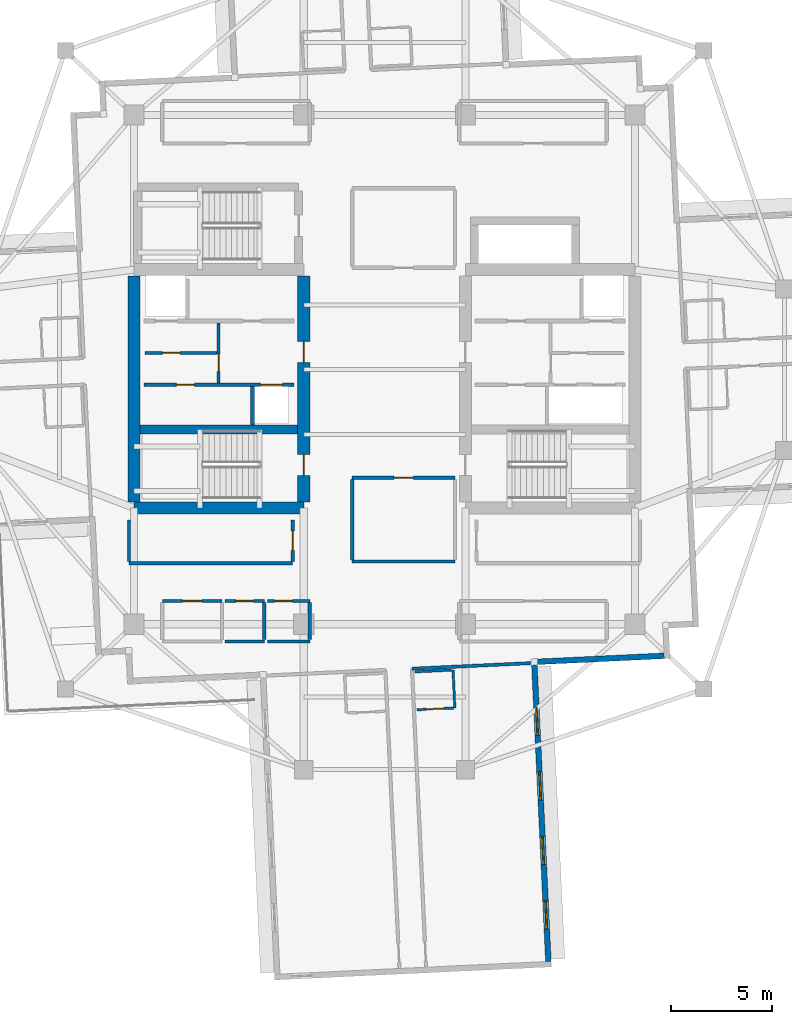
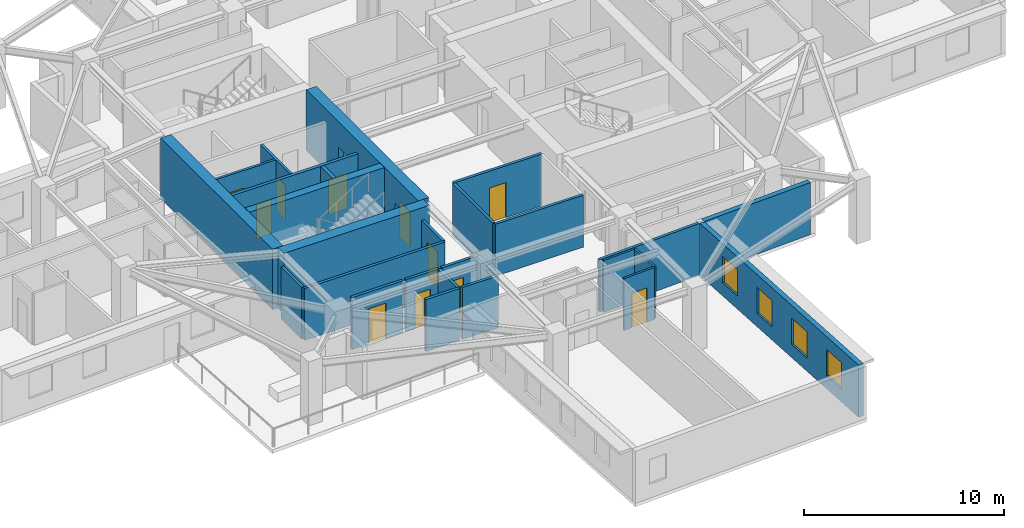
# One storey, part 4 of 12: 27 walls, 12 doors, 4 windows, 16 openings.
"""IFC4 building model written with IfcOpenShell, lengths in metres."""

from ifc_helpers import new_model, si_unit, direction, frame, frame_2d, origin, place, context, subcontext, project, spatial, rectangle, extrude, material, layer, layer_set, type_object, element, fill, save


model = new_model("IFC4")

# Units and contexts
model_context = context("Model", 3, precision=1e-05, world=origin(), true_north=direction((0.0, 1.0)))
body_context = subcontext(model_context, "Body", "Model", "MODEL_VIEW")
ifc_project = project(units=[si_unit("LENGTHUNIT", "METRE"), si_unit("AREAUNIT", "SQUARE_METRE"), si_unit("VOLUMEUNIT", "CUBIC_METRE"), si_unit("PLANEANGLEUNIT", "RADIAN"), si_unit("MASSUNIT", "GRAM", prefix="KILO")], contexts=[model_context])

# Site, building, storey
site_placement = place(None, origin())
site = spatial("IfcSite", under=ifc_project, at=site_placement, CompositionType="ELEMENT")
building_placement = place(site_placement, origin())
building = spatial("IfcBuilding", under=site, at=building_placement, Name="Qingluan Cross Belvedere", CompositionType="ELEMENT")
storey_placement = place(building_placement, frame((0.0, 0.0, 213.0)))
storey = spatial("IfcBuildingStorey", under=building, at=storey_placement, Name="L53", CompositionType="ELEMENT", Elevation=213.0)

# Walls
ifc_material_1 = material(Name="Concrete C50", Category="concrete")
ifc_layer_1 = layer(ifc_material_1, 0.449951171875, Name="CoreShearWall_450")
ifc_layer_set_1 = layer_set([ifc_layer_1], Name="Concrete C50")
wall_type_1 = type_object("IfcWallType", Name="CoreShearWall_450", PredefinedType="SHEAR", material=ifc_layer_set_1)
wall_1_placement = place(storey_placement, frame((-12.094970703125, -2.9599609375, 0.0), z_axis=(0.0, 0.0, 1.0), x_axis=(1.0, 0.0, 0.0)))
element("IfcWall", 1, at=wall_1_placement, inside=storey, type_object=wall_type_1, Name="Split core W shear wall L53-M", PredefinedType="SHEAR", context=body_context, shape_type="SweptSolid", body=[
    extrude(rectangle(XDim=7.7900390625, YDim=0.449951171875, at=frame_2d((3.89501953125, 0.0))), origin(), (0.0, 0.0, 1.0), 3.699951171875),
])
ifc_material_2 = material(Name="Concrete C60", Category="concrete")
ifc_layer_2 = layer(ifc_material_2, 0.60009765625, Name="CoreShearWall_600")
ifc_layer_set_2 = layer_set([ifc_layer_2], Name="Concrete C60")
wall_type_2 = type_object("IfcWallType", Name="CoreShearWall_600", PredefinedType="SHEAR", material=ifc_layer_set_2)
wall_2_placement = place(storey_placement, frame((-12.39990234375, -6.85009765625, 0.0), z_axis=(0.0, 0.0, 1.0), x_axis=(1.0, 0.0, 0.0)))
element("IfcWall", 2, at=wall_2_placement, inside=storey, type_object=wall_type_2, Name="Split core W shear wall L53-S", PredefinedType="SHEAR", context=body_context, shape_type="SweptSolid", body=[
    extrude(rectangle(XDim=8.39990234375, YDim=0.60009765625, at=frame_2d((4.199951171875, 0.0))), origin(), (0.0, 0.0, 1.0), 3.699951171875),
])
wall_3_placement = place(storey_placement, frame((-12.39990234375, -6.544921875, 0.0), z_axis=(0.0, 0.0, 1.0), x_axis=(0.0, 1.0, 0.0)))
element("IfcWall", 3, at=wall_3_placement, inside=storey, type_object=wall_type_2, Name="Split core W shear wall L53-W", PredefinedType="SHEAR", context=body_context, shape_type="SweptSolid", body=[
    extrude(rectangle(XDim=11.18994140625, YDim=0.60009765625, at=frame_2d((5.594970703125, 0.0))), origin(), (0.0, 0.0, 1.0), 3.699951171875),
])

# Wall, openings, doors
wall_4_placement = place(storey_placement, frame((-4.0, -6.544921875, 0.0), z_axis=(0.0, 0.0, 1.0), x_axis=(0.0, 1.0, 0.0)))
wall_4 = element("IfcWall", 4, at=wall_4_placement, inside=storey, type_object=wall_type_2, Name="Split core W shear wall L53-E", PredefinedType="SHEAR", context=body_context, shape_type="SweptSolid", body=[
    extrude(rectangle(XDim=11.18994140625, YDim=0.60009765625, at=frame_2d((5.594970703125, 0.0))), origin(), (0.0, 0.0, 1.0), 3.699951171875),
])
opening_1_placement = place(wall_4_placement, frame((1.294921875, 0.0, 0.0)))
opening_1 = element("IfcOpeningElement", 5, at=opening_1_placement, cuts=wall_4, Name="Opening FD-B11", PredefinedType="OPENING", context=body_context, shape_type="SweptSolid", body=[
    extrude(rectangle(XDim=1.050048828125, YDim=2.14990234375, at=frame_2d((0.52490234375, 1.074951171875))), frame((0.0, 0.31005859375, 0.0), z_axis=(0.0, -1.0, 0.0), x_axis=(1.0, 0.0, 0.0)), (0.0, 0.0, 1.0), 0.6201171875),
])
opening_2_placement = place(wall_4_placement, frame((6.89501953125, 0.0, 0.0)))
opening_2 = element("IfcOpeningElement", 6, at=opening_2_placement, cuts=wall_4, Name="Opening FD-B11", PredefinedType="OPENING", context=body_context, shape_type="SweptSolid", body=[
    extrude(rectangle(XDim=1.050048828125, YDim=2.14990234375, at=frame_2d((0.52490234375, 1.074951171875))), frame((0.0, 0.31005859375, 0.0), z_axis=(0.0, -1.0, 0.0), x_axis=(1.0, 0.0, 0.0)), (0.0, 0.0, 1.0), 0.6201171875),
])
ifc_material_3 = material(Name="Steel Class B smoke-seal fire door", Category="steel")
door_type_1 = type_object("IfcDoorType", Name="StairLobbyFireDoor_FDB", OperationType="NOTDEFINED", PredefinedType="DOOR", material=ifc_material_3)
door_1_placement = place(opening_1_placement, origin())
door_1 = element("IfcDoor", 7, at=door_1_placement, inside=storey, type_object=door_type_1, Name="Smoke-proof stair ST1 fire door L53", OperationType="SINGLE_SWING_LEFT", OverallHeight=2.14990234375, OverallWidth=1.050048828125, PredefinedType="DOOR", context=body_context, shape_type="SweptSolid", body=[
    extrude(rectangle(XDim=1.050048828125, YDim=2.14990234375, at=frame_2d((0.52490234375, 1.074951171875))), frame((0.0, 0.02490234375, 0.0), z_axis=(0.0, -1.0, 0.0), x_axis=(1.0, 0.0, 0.0)), (0.0, 0.0, 1.0), 0.050048828125),
])
fill(opening_1, door_1)
door_2_placement = place(opening_2_placement, origin())
door_2 = element("IfcDoor", 8, at=door_2_placement, inside=storey, type_object=door_type_1, Name="Firefighting lobby West fire door L53", OperationType="SINGLE_SWING_LEFT", OverallHeight=2.14990234375, OverallWidth=1.050048828125, PredefinedType="DOOR", context=body_context, shape_type="SweptSolid", body=[
    extrude(rectangle(XDim=1.050048828125, YDim=2.14990234375, at=frame_2d((0.52490234375, 1.074951171875))), frame((0.0, 0.02490234375, 0.0), z_axis=(0.0, -1.0, 0.0), x_axis=(1.0, 0.0, 0.0)), (0.0, 0.0, 1.0), 0.050048828125),
])
fill(opening_2, door_2)

# Wall, opening, door
ifc_material_4 = material(Name="Gypsum plasterboard on steel stud acoustic partition", Category="steel")
ifc_layer_3 = layer(ifc_material_4, 0.159912109375, Name="CorridorPartition_160")
ifc_layer_set_3 = layer_set([ifc_layer_3], Name="Gypsum plasterboard on steel stud acoustic partition")
wall_type_3 = type_object("IfcWallType", Name="CorridorPartition_160", PredefinedType="PARTITIONING", material=ifc_layer_set_3)
wall_5_placement = place(storey_placement, frame((-11.85009765625, 0.830078125, 0.0), z_axis=(0.0, 0.0, 1.0), x_axis=(1.0, 0.0, 0.0)))
wall_5 = element("IfcWall", 9, at=wall_5_placement, inside=storey, type_object=wall_type_3, Name="Partition L53:w", PredefinedType="PARTITIONING", context=body_context, shape_type="SweptSolid", body=[
    extrude(rectangle(XDim=3.552001953125, YDim=0.139892578125, at=frame_2d((1.77587890625, 0.0))), origin(), (0.0, 0.0, 1.0), 3.169921875),
])
opening_3_placement = place(wall_5_placement, frame((0.85009765625, 0.0, 0.0)))
opening_3 = element("IfcOpeningElement", 10, at=opening_3_placement, cuts=wall_5, Name="Opening FD-B10", PredefinedType="OPENING", context=body_context, shape_type="SweptSolid", body=[
    extrude(rectangle(XDim=0.8798828125, YDim=2.10009765625, at=frame_2d((0.43994140625, 1.050048828125))), frame((0.0, 0.079833984375, 0.0), z_axis=(0.0, -1.0, 0.0), x_axis=(1.0, 0.0, 0.0)), (0.0, 0.0, 1.0), 0.159912109375),
])
ifc_material_5 = material(Name="Steel Class B service fire door", Category="steel")
door_type_2 = type_object("IfcDoorType", Name="RiserServiceFireDoor_FDB", OperationType="NOTDEFINED", PredefinedType="DOOR", material=ifc_material_5)
door_3_placement = place(opening_3_placement, origin())
door_3 = element("IfcDoor", 11, at=door_3_placement, inside=storey, type_object=door_type_2, Name="Service closet inner door L53", OperationType="SINGLE_SWING_RIGHT", OverallHeight=2.10009765625, OverallWidth=0.8798828125, PredefinedType="DOOR", context=body_context, shape_type="SweptSolid", body=[
    extrude(rectangle(XDim=0.8798828125, YDim=2.10009765625, at=frame_2d((0.43994140625, 1.050048828125))), frame((0.0, 0.02490234375, 0.0), z_axis=(0.0, -1.0, 0.0), x_axis=(1.0, 0.0, 0.0)), (0.0, 0.0, 1.0), 0.050048828125),
])
fill(opening_3, door_3)

wall_6_placement = place(storey_placement, frame((-11.0, -11.449951171875, 0.0), z_axis=(0.0, 0.0, 1.0), x_axis=(1.0, 0.0, 0.0)))
wall_6 = element("IfcWall", 12, at=wall_6_placement, inside=storey, type_object=wall_type_3, Name="Partition L53:q_sw_occ:N", PredefinedType="PARTITIONING", context=body_context, shape_type="SweptSolid", body=[
    extrude(rectangle(XDim=2.949951171875, YDim=0.159912109375, at=frame_2d((1.47509765625, 0.0))), origin(), (0.0, 0.0, 1.0), 3.169921875),
])
opening_4_placement = place(wall_6_placement, frame((0.9951171875, 0.0, 0.0)))
opening_4 = element("IfcOpeningElement", 13, at=opening_4_placement, cuts=wall_6, Name="Opening GD-10", PredefinedType="OPENING", context=body_context, shape_type="SweptSolid", body=[
    extrude(rectangle(XDim=0.9599609375, YDim=2.14990234375, at=frame_2d((0.47998046875, 1.074951171875))), frame((0.0, 0.08984375, 0.0), z_axis=(0.0, -1.0, 0.0), x_axis=(1.0, 0.0, 0.0)), (0.0, 0.0, 1.0), 0.179931640625),
])
ifc_material_6 = material(Name="Timber oak fire-rated acoustic guestroom door", Category="wood")
door_type_3 = type_object("IfcDoorType", Name="GuestEntryDoor_FD60", OperationType="NOTDEFINED", PredefinedType="DOOR", material=ifc_material_6)
door_4_placement = place(opening_4_placement, origin())
door_4 = element("IfcDoor", 14, at=door_4_placement, inside=storey, type_object=door_type_3, Name="Executive briefing room L53 door", OperationType="SINGLE_SWING_LEFT", OverallHeight=2.14990234375, OverallWidth=0.9599609375, PredefinedType="DOOR", context=body_context, shape_type="SweptSolid", body=[
    extrude(rectangle(XDim=0.9599609375, YDim=2.14990234375, at=frame_2d((0.47998046875, 1.074951171875))), frame((0.0, 0.02490234375, 0.0), z_axis=(0.0, -1.0, 0.0), x_axis=(1.0, 0.0, 0.0)), (0.0, 0.0, 1.0), 0.050048828125),
])
fill(opening_4, door_4)

# Wall
wall_7_placement = place(storey_placement, frame((-7.889892578125, -13.449951171875, 0.0), z_axis=(0.0, 0.0, 1.0), x_axis=(1.0, 0.0, 0.0)))
element("IfcWall", 15, at=wall_7_placement, inside=storey, type_object=wall_type_3, Name="Partition L53:hk_linen:S", PredefinedType="PARTITIONING", context=body_context, shape_type="SweptSolid", body=[
    extrude(rectangle(XDim=1.93994140625, YDim=0.159912109375, at=frame_2d((0.969970703125, 0.0))), origin(), (0.0, 0.0, 1.0), 3.169921875),
])

# Wall, opening, door
wall_8_placement = place(storey_placement, frame((-7.889892578125, -11.449951171875, 0.0), z_axis=(0.0, 0.0, 1.0), x_axis=(1.0, 0.0, 0.0)))
wall_8 = element("IfcWall", 16, at=wall_8_placement, inside=storey, type_object=wall_type_3, Name="Partition L53:hk_linen:N", PredefinedType="PARTITIONING", context=body_context, shape_type="SweptSolid", body=[
    extrude(rectangle(XDim=1.93994140625, YDim=0.159912109375, at=frame_2d((0.969970703125, 0.0))), origin(), (0.0, 0.0, 1.0), 3.169921875),
])
opening_5_placement = place(wall_8_placement, frame((0.530029296875, 0.0, 0.0)))
opening_5 = element("IfcOpeningElement", 17, at=opening_5_placement, cuts=wall_8, Name="Opening FD-B10", PredefinedType="OPENING", context=body_context, shape_type="SweptSolid", body=[
    extrude(rectangle(XDim=0.8798828125, YDim=2.10009765625, at=frame_2d((0.43994140625, 1.050048828125))), frame((0.0, 0.08984375, 0.0), z_axis=(0.0, -1.0, 0.0), x_axis=(1.0, 0.0, 0.0)), (0.0, 0.0, 1.0), 0.179931640625),
])
door_5_placement = place(opening_5_placement, origin())
door_5 = element("IfcDoor", 18, at=door_5_placement, inside=storey, type_object=door_type_2, Name="Housekeeping and linen store L53 door", OperationType="SINGLE_SWING_RIGHT", OverallHeight=2.10009765625, OverallWidth=0.8798828125, PredefinedType="DOOR", context=body_context, shape_type="SweptSolid", body=[
    extrude(rectangle(XDim=0.8798828125, YDim=2.10009765625, at=frame_2d((0.43994140625, 1.050048828125))), frame((0.0, 0.02490234375, 0.0), z_axis=(0.0, -1.0, 0.0), x_axis=(1.0, 0.0, 0.0)), (0.0, 0.0, 1.0), 0.050048828125),
])
fill(opening_5, door_5)

# Walls
wall_9_placement = place(storey_placement, frame((-5.949951171875, -13.364990234375, 0.0), z_axis=(0.0, 0.0, 1.0), x_axis=(0.0, 1.0, 0.0)))
element("IfcWall", 19, at=wall_9_placement, inside=storey, type_object=wall_type_3, Name="Partition L53:hk_linen:E", PredefinedType="PARTITIONING", context=body_context, shape_type="SweptSolid", body=[
    extrude(rectangle(XDim=1.830078125, YDim=0.159912109375, at=frame_2d((0.9150390625, 0.0))), origin(), (0.0, 0.0, 1.0), 3.169921875),
])
wall_10_placement = place(storey_placement, frame((-5.7900390625, -13.449951171875, 0.0), z_axis=(0.0, 0.0, 1.0), x_axis=(1.0, 0.0, 0.0)))
element("IfcWall", 20, at=wall_10_placement, inside=storey, type_object=wall_type_3, Name="Partition L53:floor_acc_wc:S", PredefinedType="PARTITIONING", context=body_context, shape_type="SweptSolid", body=[
    extrude(rectangle(XDim=2.090087890625, YDim=0.159912109375, at=frame_2d((1.044921875, 0.0))), origin(), (0.0, 0.0, 1.0), 3.169921875),
])

# Wall, opening, door
wall_11_placement = place(storey_placement, frame((-5.7900390625, -11.449951171875, 0.0), z_axis=(0.0, 0.0, 1.0), x_axis=(1.0, 0.0, 0.0)))
wall_11 = element("IfcWall", 21, at=wall_11_placement, inside=storey, type_object=wall_type_3, Name="Partition L53:floor_acc_wc:N", PredefinedType="PARTITIONING", context=body_context, shape_type="SweptSolid", body=[
    extrude(rectangle(XDim=2.090087890625, YDim=0.159912109375, at=frame_2d((1.044921875, 0.0))), origin(), (0.0, 0.0, 1.0), 3.169921875),
])
opening_6_placement = place(wall_11_placement, frame((0.35009765625, 0.0, 0.0)))
opening_6 = element("IfcOpeningElement", 22, at=opening_6_placement, cuts=wall_11, Name="Opening BD-08", PredefinedType="OPENING", context=body_context, shape_type="SweptSolid", body=[
    extrude(rectangle(XDim=0.8798828125, YDim=2.14990234375, at=frame_2d((0.43994140625, 1.074951171875))), frame((0.0, 0.08984375, 0.0), z_axis=(0.0, -1.0, 0.0), x_axis=(1.0, 0.0, 0.0)), (0.0, 0.0, 1.0), 0.179931640625),
])
ifc_material_7 = material(Name="Moisture-sealed timber accessible WC door", Category="wood")
door_type_4 = type_object("IfcDoorType", Name="AccessibleWCDoor_880", OperationType="NOTDEFINED", PredefinedType="DOOR", material=ifc_material_7)
door_6_placement = place(opening_6_placement, origin())
door_6 = element("IfcDoor", 23, at=door_6_placement, inside=storey, type_object=door_type_4, Name="Accessible guest washroom L53 door", OperationType="SINGLE_SWING_LEFT", OverallHeight=2.14990234375, OverallWidth=0.8798828125, PredefinedType="DOOR", context=body_context, shape_type="SweptSolid", body=[
    extrude(rectangle(XDim=0.8798828125, YDim=2.14990234375, at=frame_2d((0.43994140625, 1.074951171875))), frame((0.0, 0.02490234375, 0.0), z_axis=(0.0, -1.0, 0.0), x_axis=(1.0, 0.0, 0.0)), (0.0, 0.0, 1.0), 0.050048828125),
])
fill(opening_6, door_6)

# Walls
wall_12_placement = place(storey_placement, frame((-3.699951171875, -13.364990234375, 0.0), z_axis=(0.0, 0.0, 1.0), x_axis=(0.0, 1.0, 0.0)))
element("IfcWall", 24, at=wall_12_placement, inside=storey, type_object=wall_type_3, Name="Partition L53:floor_acc_wc:E", PredefinedType="PARTITIONING", context=body_context, shape_type="SweptSolid", body=[
    extrude(rectangle(XDim=1.830078125, YDim=0.159912109375, at=frame_2d((0.9150390625, 0.0))), origin(), (0.0, 0.0, 1.0), 3.169921875),
])
wall_13_placement = place(storey_placement, frame((-1.60009765625, -9.5, 0.0), z_axis=(0.0, 0.0, 1.0), x_axis=(1.0, 0.0, 0.0)))
element("IfcWall", 25, at=wall_13_placement, inside=storey, type_object=wall_type_3, Name="Partition L53:sky_south_alcove:S", PredefinedType="PARTITIONING", context=body_context, shape_type="SweptSolid", body=[
    extrude(rectangle(XDim=5.080078125, YDim=0.159912109375, at=frame_2d((2.5400390625, 0.0))), origin(), (0.0, 0.0, 1.0), 3.169921875),
])

# Wall, opening, door
wall_14_placement = place(storey_placement, frame((-1.60009765625, -5.35009765625, 0.0), z_axis=(0.0, 0.0, 1.0), x_axis=(1.0, 0.0, 0.0)))
wall_14 = element("IfcWall", 26, at=wall_14_placement, inside=storey, type_object=wall_type_3, Name="Partition L53:sky_south_alcove:N", PredefinedType="PARTITIONING", context=body_context, shape_type="SweptSolid", body=[
    extrude(rectangle(XDim=5.080078125, YDim=0.159912109375, at=frame_2d((2.5400390625, 0.0))), origin(), (0.0, 0.0, 1.0), 3.169921875),
])
opening_7_placement = place(wall_14_placement, frame((2.06005859375, 0.0, 0.0)))
opening_7 = element("IfcOpeningElement", 27, at=opening_7_placement, cuts=wall_14, Name="Opening GD-10", PredefinedType="OPENING", context=body_context, shape_type="SweptSolid", body=[
    extrude(rectangle(XDim=0.9599609375, YDim=2.14990234375, at=frame_2d((0.47998046875, 1.074951171875))), frame((0.0, 0.08984375, 0.0), z_axis=(0.0, -1.0, 0.0), x_axis=(1.0, 0.0, 0.0)), (0.0, 0.0, 1.0), 0.179931640625),
])
door_7_placement = place(opening_7_placement, origin())
door_7 = element("IfcDoor", 28, at=door_7_placement, inside=storey, type_object=door_type_3, Name="South horizon reading alcove L53 door", OperationType="SINGLE_SWING_LEFT", OverallHeight=2.14990234375, OverallWidth=0.9599609375, PredefinedType="DOOR", context=body_context, shape_type="SweptSolid", body=[
    extrude(rectangle(XDim=0.9599609375, YDim=2.14990234375, at=frame_2d((0.47998046875, 1.074951171875))), frame((0.0, 0.02490234375, 0.0), z_axis=(0.0, -1.0, 0.0), x_axis=(1.0, 0.0, 0.0)), (0.0, 0.0, 1.0), 0.050048828125),
])
fill(opening_7, door_7)

# Walls
wall_15_placement = place(storey_placement, frame((-1.60009765625, -9.4150390625, 0.0), z_axis=(0.0, 0.0, 1.0), x_axis=(0.0, 1.0, 0.0)))
element("IfcWall", 29, at=wall_15_placement, inside=storey, type_object=wall_type_3, Name="Partition L53:sky_south_alcove:W", PredefinedType="PARTITIONING", context=body_context, shape_type="SweptSolid", body=[
    extrude(rectangle(XDim=3.97998046875, YDim=0.159912109375, at=frame_2d((1.989990234375, 0.0))), origin(), (0.0, 0.0, 1.0), 3.169921875),
])
wall_16_placement = place(storey_placement, frame((-12.64990234375, -9.580078125, 0.0), z_axis=(0.0, 0.0, 1.0), x_axis=(1.0, 0.0, 0.0)))
element("IfcWall", 30, at=wall_16_placement, inside=storey, type_object=wall_type_3, Name="Partition L53:rec_st4_w:S", PredefinedType="PARTITIONING", context=body_context, shape_type="SweptSolid", body=[
    extrude(rectangle(XDim=8.099853515625, YDim=0.159912109375, at=frame_2d((4.0498046875, 0.0))), origin(), (0.0, 0.0, 1.0), 3.169921875),
])
wall_17_placement = place(storey_placement, frame((-12.64990234375, -9.4951171875, 0.0), z_axis=(0.0, 0.0, 1.0), x_axis=(0.0, 1.0, 0.0)))
element("IfcWall", 31, at=wall_17_placement, inside=storey, type_object=wall_type_3, Name="Partition L53:rec_st4_w:W", PredefinedType="PARTITIONING", context=body_context, shape_type="SweptSolid", body=[
    extrude(rectangle(XDim=2.06005859375, YDim=0.159912109375, at=frame_2d((1.030029296875, 0.0))), origin(), (0.0, 0.0, 1.0), 3.169921875),
])

# Wall, opening, door
wall_18_placement = place(storey_placement, frame((-4.550048828125, -9.4951171875, 0.0), z_axis=(0.0, 0.0, 1.0), x_axis=(0.0, 1.0, 0.0)))
wall_18 = element("IfcWall", 32, at=wall_18_placement, inside=storey, type_object=wall_type_3, Name="Partition L53:rec_st4_w:E", PredefinedType="PARTITIONING", context=body_context, shape_type="SweptSolid", body=[
    extrude(rectangle(XDim=2.06005859375, YDim=0.159912109375, at=frame_2d((1.030029296875, 0.0))), origin(), (0.0, 0.0, 1.0), 3.169921875),
])
opening_8_placement = place(wall_18_placement, frame((0.550048828125, 0.0, 0.0)))
opening_8 = element("IfcOpeningElement", 33, at=opening_8_placement, cuts=wall_18, Name="Opening GD-10", PredefinedType="OPENING", context=body_context, shape_type="SweptSolid", body=[
    extrude(rectangle(XDim=0.9599609375, YDim=2.14990234375, at=frame_2d((0.47998046875, 1.074951171875))), frame((0.0, 0.08984375, 0.0), z_axis=(0.0, -1.0, 0.0), x_axis=(1.0, 0.0, 0.0)), (0.0, 0.0, 1.0), 0.179931640625),
])
door_8_placement = place(opening_8_placement, origin())
door_8 = element("IfcDoor", 34, at=door_8_placement, inside=storey, type_object=door_type_3, Name="Southwest club reading room L53 door", OperationType="SINGLE_SWING_LEFT", OverallHeight=2.14990234375, OverallWidth=0.9599609375, PredefinedType="DOOR", context=body_context, shape_type="SweptSolid", body=[
    extrude(rectangle(XDim=0.9599609375, YDim=2.14990234375, at=frame_2d((0.47998046875, 1.074951171875))), frame((0.0, 0.02490234375, 0.0), z_axis=(0.0, -1.0, 0.0), x_axis=(1.0, 0.0, 0.0)), (0.0, 0.0, 1.0), 0.050048828125),
])
fill(opening_8, door_8)

# Wall
wall_19_placement = place(storey_placement, frame((1.35888671875, -14.802490234375, 0.0), z_axis=(0.0, 0.0, 1.0), x_axis=(0.998890358992, 0.047096185757, 0.0)))
element("IfcWall", 35, at=wall_19_placement, inside=storey, type_object=wall_type_3, Name="Partition L53:S:s0", PredefinedType="PARTITIONING", context=body_context, shape_type="SweptSolid", body=[
    extrude(rectangle(XDim=6.06005859375, YDim=0.159912109375, at=frame_2d((3.030029296875, 0.0))), origin(), (0.0, 0.0, 1.0), 3.169921875),
])

# Wall, opening, door
ifc_material_8 = material(Name="Moisture-resistant gypsum board lining")
ifc_layer_4 = layer(ifc_material_8, 0.1201171875, Name="EnsuiteWetPartition_120")
ifc_layer_set_4 = layer_set([ifc_layer_4], Name="Moisture-resistant gypsum board lining")
wall_type_4 = type_object("IfcWallType", Name="EnsuiteWetPartition_120", PredefinedType="PARTITIONING", material=ifc_layer_set_4)
wall_20_placement = place(storey_placement, frame((1.5947265625, -16.83349609375, 0.0), z_axis=(0.0, 0.0, 1.0), x_axis=(0.998890786574, 0.047087116047, 0.0)))
wall_20 = element("IfcWall", 36, at=wall_20_placement, inside=storey, type_object=wall_type_4, Name="Partition L53:S:bs0_0", PredefinedType="PARTITIONING", context=body_context, shape_type="SweptSolid", body=[
    extrude(rectangle(XDim=1.81982421875, YDim=0.1201171875, at=frame_2d((0.909912109375, 0.0))), origin(), (0.0, 0.0, 1.0), 3.169921875),
])
opening_9_placement = place(wall_20_placement, frame((0.469970703125, 0.0, 0.0)))
opening_9 = element("IfcOpeningElement", 37, at=opening_9_placement, cuts=wall_20, Name="Opening BD-09", PredefinedType="OPENING", context=body_context, shape_type="SweptSolid", body=[
    extrude(rectangle(XDim=0.8798828125, YDim=2.10009765625, at=frame_2d((0.43994140625, 1.050048828125))), frame((0.0, 0.070068359375, 0.0), z_axis=(0.0, -1.0, 0.0), x_axis=(1.0, 0.0, 0.0)), (0.0, 0.0, 1.0), 0.14013671875),
])
ifc_material_9 = material(Name="Moisture-sealed timber en-suite door", Category="wood")
door_type_5 = type_object("IfcDoorType", Name="BathroomDoor_880", OperationType="NOTDEFINED", PredefinedType="DOOR", material=ifc_material_9)
door_9_placement = place(opening_9_placement, origin())
door_9 = element("IfcDoor", 38, at=door_9_placement, inside=storey, type_object=door_type_5, Name="Bathroom door 5313", OperationType="SINGLE_SWING_LEFT", OverallHeight=2.10009765625, OverallWidth=0.8798828125, PredefinedType="DOOR", context=body_context, shape_type="SweptSolid", body=[
    extrude(rectangle(XDim=0.8798828125, YDim=2.10009765625, at=frame_2d((0.43994140625, 1.050048828125))), frame((0.0, 0.02490234375, 0.0), z_axis=(0.0, -1.0, 0.0), x_axis=(1.0, 0.0, 0.0)), (0.0, 0.0, 1.0), 0.050048828125),
])
fill(opening_9, door_9)

# Walls
wall_21_placement = place(storey_placement, frame((1.506103515625, -14.955810546875, 0.0), z_axis=(0.0, 0.0, 1.0), x_axis=(0.998884766924, 0.047214641863, 0.0)))
element("IfcWall", 39, at=wall_21_placement, inside=storey, type_object=wall_type_4, Name="Partition L53:S:bw0_0", PredefinedType="PARTITIONING", context=body_context, shape_type="SweptSolid", body=[
    extrude(rectangle(XDim=1.820068359375, YDim=0.1201171875, at=frame_2d((0.91015625, 0.0))), origin(), (0.0, 0.0, 1.0), 3.169921875),
])
wall_22_placement = place(storey_placement, frame((3.38916015625, -14.866943359375, 0.0), z_axis=(0.0, 0.0, 1.0), x_axis=(0.04700985207, -0.998894425757, 0.0)))
element("IfcWall", 40, at=wall_22_placement, inside=storey, type_object=wall_type_4, Name="Partition L53:S:bn0_0", PredefinedType="PARTITIONING", context=body_context, shape_type="SweptSolid", body=[
    extrude(rectangle(XDim=1.880126953125, YDim=0.1201171875, at=frame_2d((0.93994140625, 0.0))), origin(), (0.0, 0.0, 1.0), 3.169921875),
])

# Wall, openings, windows
ifc_material_10 = material(Name="Precast concrete C45", Category="concrete")
ifc_layer_5 = layer(ifc_material_10, 0.280029296875, Name="PrecastFacadeWall_280")
ifc_layer_set_5 = layer_set([ifc_layer_5], Name="Precast concrete C45")
wall_type_5 = type_object("IfcWallType", Name="PrecastFacadeWall_280", PredefinedType="STANDARD", material=ifc_layer_set_5)
wall_23_placement = place(storey_placement, frame((8.10888671875, -29.29052734375, 0.0), z_axis=(0.0, 0.0, 1.0), x_axis=(-0.047117735191, 0.998889342735, 0.0)))
wall_23 = element("IfcWall", 41, at=wall_23_placement, inside=storey, type_object=wall_type_5, Name="Facade wall L53-SB", PredefinedType="STANDARD", context=body_context, shape_type="SweptSolid", body=[
    extrude(rectangle(XDim=14.699951171875, YDim=0.280029296875, at=frame_2d((7.35009765625, 0.0))), origin(), (0.0, 0.0, 1.0), 3.179931640625),
])
opening_10_placement = place(wall_23_placement, frame((1.60009765625, 0.0, 0.800048828125)))
opening_10 = element("IfcOpeningElement", 42, at=opening_10_placement, cuts=wall_23, Name="Opening W-01", PredefinedType="OPENING", context=body_context, shape_type="SweptSolid", body=[
    extrude(rectangle(XDim=1.39990234375, YDim=1.60009765625, at=frame_2d((0.699951171875, 0.800048828125))), frame((0.0, 0.14990234375, 0.0), z_axis=(0.0, -1.0, 0.0), x_axis=(1.0, 0.0, 0.0)), (0.0, 0.0, 1.0), 0.300048828125),
])
opening_11_placement = place(wall_23_placement, frame((4.800048828125, 0.0, 0.800048828125)))
opening_11 = element("IfcOpeningElement", 43, at=opening_11_placement, cuts=wall_23, Name="Opening W-01", PredefinedType="OPENING", context=body_context, shape_type="SweptSolid", body=[
    extrude(rectangle(XDim=1.39990234375, YDim=1.60009765625, at=frame_2d((0.699951171875, 0.800048828125))), frame((0.0, 0.14990234375, 0.0), z_axis=(0.0, -1.0, 0.0), x_axis=(1.0, 0.0, 0.0)), (0.0, 0.0, 1.0), 0.300048828125),
])
opening_12_placement = place(wall_23_placement, frame((8.0, 0.0, 0.800048828125)))
opening_12 = element("IfcOpeningElement", 44, at=opening_12_placement, cuts=wall_23, Name="Opening W-01", PredefinedType="OPENING", context=body_context, shape_type="SweptSolid", body=[
    extrude(rectangle(XDim=1.39990234375, YDim=1.60009765625, at=frame_2d((0.699951171875, 0.800048828125))), frame((0.0, 0.14990234375, 0.0), z_axis=(0.0, -1.0, 0.0), x_axis=(1.0, 0.0, 0.0)), (0.0, 0.0, 1.0), 0.300048828125),
])
opening_13_placement = place(wall_23_placement, frame((11.199951171875, 0.0, 0.800048828125)))
opening_13 = element("IfcOpeningElement", 45, at=opening_13_placement, cuts=wall_23, Name="Opening W-01", PredefinedType="OPENING", context=body_context, shape_type="SweptSolid", body=[
    extrude(rectangle(XDim=1.39990234375, YDim=1.60009765625, at=frame_2d((0.699951171875, 0.800048828125))), frame((0.0, 0.14990234375, 0.0), z_axis=(0.0, -1.0, 0.0), x_axis=(1.0, 0.0, 0.0)), (0.0, 0.0, 1.0), 0.300048828125),
])
ifc_material_11 = material(Name="Thermally broken triple Low-E glass in aluminium frame", Category="aluminium")
window_type = type_object("IfcWindowType", Name="TriRibbonWin_1400x1600", PartitioningType="SINGLE_PANEL", PredefinedType="WINDOW", material=ifc_material_11)
window_1_placement = place(opening_10_placement, origin())
window_1 = element("IfcWindow", 46, at=window_1_placement, inside=storey, type_object=window_type, Name="Ribbon window L53-SB-1", OverallHeight=1.60009765625, OverallWidth=1.39990234375, PartitioningType="SINGLE_PANEL", PredefinedType="WINDOW", context=body_context, shape_type="SweptSolid", body=[
    extrude(rectangle(XDim=1.39990234375, YDim=1.60009765625, at=frame_2d((0.699951171875, 0.800048828125))), frame((0.0, 0.030029296875, 0.0), z_axis=(0.0, -1.0, 0.0), x_axis=(1.0, 0.0, 0.0)), (0.0, 0.0, 1.0), 0.06005859375),
])
fill(opening_10, window_1)
window_2_placement = place(opening_11_placement, origin())
window_2 = element("IfcWindow", 47, at=window_2_placement, inside=storey, type_object=window_type, Name="Ribbon window L53-SB-2", OverallHeight=1.60009765625, OverallWidth=1.39990234375, PartitioningType="SINGLE_PANEL", PredefinedType="WINDOW", context=body_context, shape_type="SweptSolid", body=[
    extrude(rectangle(XDim=1.39990234375, YDim=1.60009765625, at=frame_2d((0.699951171875, 0.800048828125))), frame((0.0, 0.030029296875, 0.0), z_axis=(0.0, -1.0, 0.0), x_axis=(1.0, 0.0, 0.0)), (0.0, 0.0, 1.0), 0.06005859375),
])
fill(opening_11, window_2)
window_3_placement = place(opening_12_placement, origin())
window_3 = element("IfcWindow", 48, at=window_3_placement, inside=storey, type_object=window_type, Name="Ribbon window L53-SB-3", OverallHeight=1.60009765625, OverallWidth=1.39990234375, PartitioningType="SINGLE_PANEL", PredefinedType="WINDOW", context=body_context, shape_type="SweptSolid", body=[
    extrude(rectangle(XDim=1.39990234375, YDim=1.60009765625, at=frame_2d((0.699951171875, 0.800048828125))), frame((0.0, 0.030029296875, 0.0), z_axis=(0.0, -1.0, 0.0), x_axis=(1.0, 0.0, 0.0)), (0.0, 0.0, 1.0), 0.06005859375),
])
fill(opening_12, window_3)
window_4_placement = place(opening_13_placement, origin())
window_4 = element("IfcWindow", 49, at=window_4_placement, inside=storey, type_object=window_type, Name="Ribbon window L53-SB-4", OverallHeight=1.60009765625, OverallWidth=1.39990234375, PartitioningType="SINGLE_PANEL", PredefinedType="WINDOW", context=body_context, shape_type="SweptSolid", body=[
    extrude(rectangle(XDim=1.39990234375, YDim=1.60009765625, at=frame_2d((0.699951171875, 0.800048828125))), frame((0.0, 0.030029296875, 0.0), z_axis=(0.0, -1.0, 0.0), x_axis=(1.0, 0.0, 0.0)), (0.0, 0.0, 1.0), 0.06005859375),
])
fill(opening_13, window_4)

# Wall
wall_24_placement = place(storey_placement, frame((13.842529296875, -14.16357421875, 0.0), z_axis=(0.0, 0.0, 1.0), x_axis=(-0.998889082162, -0.047123258997, 0.0)))
element("IfcWall", 50, at=wall_24_placement, inside=storey, type_object=wall_type_5, Name="Corner wall L53-SE4", PredefinedType="STANDARD", context=body_context, shape_type="SweptSolid", body=[
    extrude(rectangle(XDim=6.300048828125, YDim=0.280029296875, at=frame_2d((3.14990234375, 0.0))), origin(), (0.0, 0.0, 1.0), 3.179931640625),
])

# Wall, openings, doors
ifc_material_12 = material(Name="Concrete C40", Category="concrete")
ifc_layer_6 = layer(ifc_material_12, 0.219970703125, Name="ShaftEnclosureWall_250")
ifc_layer_set_6 = layer_set([ifc_layer_6], Name="Concrete C40")
wall_type_6 = type_object("IfcWallType", Name="ShaftEnclosureWall_250", PredefinedType="SOLIDWALL", material=ifc_layer_set_6)
wall_25_placement = place(storey_placement, frame((-11.89990234375, -0.75, 0.0), z_axis=(0.0, 0.0, 1.0), x_axis=(1.0, 0.0, 0.0)))
wall_25 = element("IfcWall", 51, at=wall_25_placement, inside=storey, type_object=wall_type_6, Name="Core-W mid hoistway wall L53", PredefinedType="SOLIDWALL", context=body_context, shape_type="SweptSolid", body=[
    extrude(rectangle(XDim=7.419921875, YDim=0.179931640625, at=frame_2d((3.7099609375, 0.0))), origin(), (0.0, 0.0, 1.0), 3.169921875),
])
opening_14_placement = place(wall_25_placement, frame((5.75, 0.0, 0.0)))
opening_14 = element("IfcOpeningElement", 52, at=opening_14_placement, cuts=wall_25, Name="Opening LD-11", PredefinedType="OPENING", context=body_context, shape_type="SweptSolid", body=[
    extrude(rectangle(XDim=1.10009765625, YDim=2.14990234375, at=frame_2d((0.550048828125, 1.074951171875))), frame((0.0, 0.099853515625, 0.0), z_axis=(0.0, -1.0, 0.0), x_axis=(1.0, 0.0, 0.0)), (0.0, 0.0, 1.0), 0.199951171875),
])
opening_15_placement = place(wall_25_placement, frame((1.60009765625, 0.0, 0.0)))
opening_15 = element("IfcOpeningElement", 53, at=opening_15_placement, cuts=wall_25, Name="Opening FD-B10", PredefinedType="OPENING", context=body_context, shape_type="SweptSolid", body=[
    extrude(rectangle(XDim=0.8798828125, YDim=2.10009765625, at=frame_2d((0.43994140625, 1.050048828125))), frame((0.0, 0.099853515625, 0.0), z_axis=(0.0, -1.0, 0.0), x_axis=(1.0, 0.0, 0.0)), (0.0, 0.0, 1.0), 0.199951171875),
])
ifc_material_13 = material(Name="Brushed stainless steel centre-opening lift landing door", Category="steel")
door_type_6 = type_object("IfcDoorType", Name="LiftLandingSlidingDoor_1100", OperationType="DOUBLE_DOOR_SLIDING", PredefinedType="DOOR", material=ifc_material_13)
door_10_placement = place(opening_14_placement, origin())
door_10 = element("IfcDoor", 54, at=door_10_placement, inside=storey, type_object=door_type_6, Name="Lift landing sliding door LP8 L53", OperationType="DOUBLE_DOOR_SLIDING", OverallHeight=2.14990234375, OverallWidth=1.10009765625, PredefinedType="DOOR", context=body_context, shape_type="SweptSolid", body=[
    extrude(rectangle(XDim=1.10009765625, YDim=2.14990234375, at=frame_2d((0.550048828125, 1.074951171875))), frame((0.0, 0.02490234375, 0.0), z_axis=(0.0, -1.0, 0.0), x_axis=(1.0, 0.0, 0.0)), (0.0, 0.0, 1.0), 0.050048828125),
])
fill(opening_14, door_10)
door_11_placement = place(opening_15_placement, origin())
door_11 = element("IfcDoor", 55, at=door_11_placement, inside=storey, type_object=door_type_2, Name="Upper-zone electrical room door L53", OperationType="SINGLE_SWING_RIGHT", OverallHeight=2.10009765625, OverallWidth=0.8798828125, PredefinedType="DOOR", context=body_context, shape_type="SweptSolid", body=[
    extrude(rectangle(XDim=0.8798828125, YDim=2.10009765625, at=frame_2d((0.43994140625, 1.050048828125))), frame((0.0, 0.02490234375, 0.0), z_axis=(0.0, -1.0, 0.0), x_axis=(1.0, 0.0, 0.0)), (0.0, 0.0, 1.0), 0.050048828125),
])
fill(opening_15, door_11)

# Wall
wall_26_placement = place(storey_placement, frame((-6.5400390625, -2.72998046875, 0.0), z_axis=(0.0, 0.0, 1.0), x_axis=(0.0, 1.0, 0.0)))
element("IfcWall", 56, at=wall_26_placement, inside=storey, type_object=wall_type_6, Name="Hoistway enclosure divider LP8W L53", PredefinedType="SOLIDWALL", context=body_context, shape_type="SweptSolid", body=[
    extrude(rectangle(XDim=1.889892578125, YDim=0.179931640625, at=frame_2d((0.94482421875, 0.0))), origin(), (0.0, 0.0, 1.0), 3.169921875),
])

# Wall, opening, door
wall_27_placement = place(storey_placement, frame((-8.219970703125, -0.64990234375, 0.0), z_axis=(0.0, 0.0, 1.0), x_axis=(0.0, 1.0, 0.0)))
wall_27 = element("IfcWall", 57, at=wall_27_placement, inside=storey, type_object=wall_type_6, Name="Core-W service corridor wall L53", PredefinedType="SOLIDWALL", context=body_context, shape_type="SweptSolid", body=[
    extrude(rectangle(XDim=2.9599609375, YDim=0.139892578125, at=frame_2d((1.47998046875, 0.0))), origin(), (0.0, 0.0, 1.0), 3.169921875),
])
opening_16_placement = place(wall_27_placement, frame((0.550048828125, 0.0, 0.0)))
opening_16 = element("IfcOpeningElement", 58, at=opening_16_placement, cuts=wall_27, Name="Opening FD-B10", PredefinedType="OPENING", context=body_context, shape_type="SweptSolid", body=[
    extrude(rectangle(XDim=0.8798828125, YDim=2.10009765625, at=frame_2d((0.43994140625, 1.050048828125))), frame((0.0, 0.079833984375, 0.0), z_axis=(0.0, -1.0, 0.0), x_axis=(1.0, 0.0, 0.0)), (0.0, 0.0, 1.0), 0.159912109375),
])
door_12_placement = place(opening_16_placement, origin())
door_12 = element("IfcDoor", 59, at=door_12_placement, inside=storey, type_object=door_type_2, Name="Core-W service room door L53", OperationType="SINGLE_SWING_RIGHT", OverallHeight=2.10009765625, OverallWidth=0.8798828125, PredefinedType="DOOR", context=body_context, shape_type="SweptSolid", body=[
    extrude(rectangle(XDim=0.8798828125, YDim=2.10009765625, at=frame_2d((0.43994140625, 1.050048828125))), frame((0.0, 0.02490234375, 0.0), z_axis=(0.0, -1.0, 0.0), x_axis=(1.0, 0.0, 0.0)), (0.0, 0.0, 1.0), 0.050048828125),
])
fill(opening_16, door_12)

save(model, "model.ifc")
